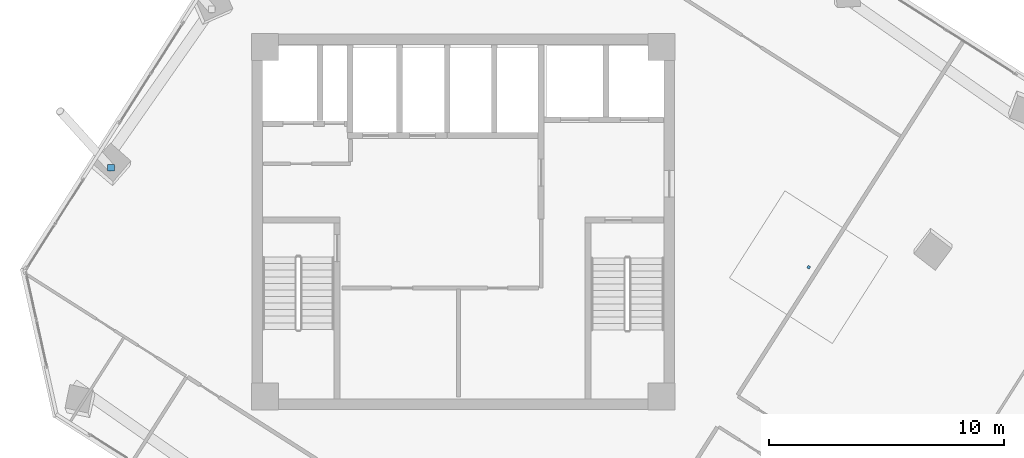
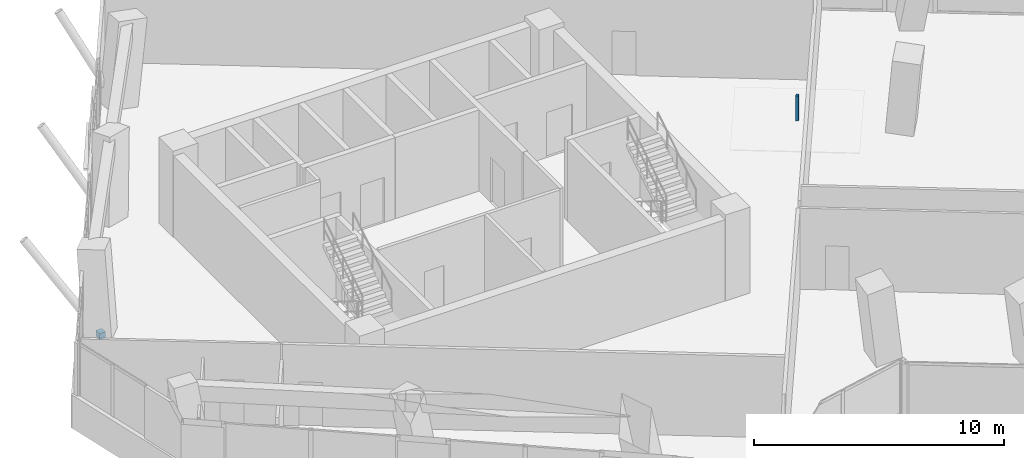
# One storey, part 20 of 24: 2 discrete accessories.
"""IFC4 building model written with IfcOpenShell, lengths in metres."""

from ifc_helpers import new_model, si_unit, direction, frame, origin, origin_2d, place, context, subcontext, project, spatial, rectangle, extrude, source, transform, mapped, material, type_object, element, save


model = new_model("IFC4")

# Units and contexts
model_context = context("Model", 3, precision=1e-05, world=origin(), true_north=direction((0.0, 1.0)))
body_context = subcontext(model_context, "Body", "Model", "MODEL_VIEW")
ifc_project = project(units=[si_unit("LENGTHUNIT", "METRE"), si_unit("AREAUNIT", "SQUARE_METRE"), si_unit("VOLUMEUNIT", "CUBIC_METRE"), si_unit("PLANEANGLEUNIT", "RADIAN"), si_unit("MASSUNIT", "GRAM", prefix="KILO")], contexts=[model_context])

# Site, building, storey
site_placement = place(None, origin())
site = spatial("IfcSite", under=ifc_project, at=site_placement, CompositionType="ELEMENT")
building_placement = place(site_placement, origin())
building = spatial("IfcBuilding", under=site, at=building_placement, Name="Torre Montelarca", CompositionType="ELEMENT")
storey_placement = place(building_placement, frame((0.0, 0.0, 191.800048828125)))
storey = spatial("IfcBuildingStorey", under=building, at=storey_placement, Name="L43", CompositionType="ELEMENT", Elevation=191.800048828125)

# Discrete accessories
ifc_material_1 = material(Name="Stainless steel AISI 316", Category="steel")
discrete_accessory_type_1 = type_object("IfcDiscreteAccessoryType", Name="ACC-BRACKET-SS", PredefinedType="BRACKET", material=ifc_material_1)
shared_shape_1 = source(origin(), body_context, "Body", "SweptSolid", [
    extrude(rectangle(XDim=0.280029296875, YDim=0.280029296875, at=origin_2d()), origin(), (0.0, 0.0, 1.0), 0.280029296875),
])
discrete_accessory_1_placement = place(storey_placement, frame((2.990478515625, 34.306396484375, 0.009765625), z_axis=(0.0, 0.0, 1.0), x_axis=(1.0, 0.0, 0.0)))
element("IfcDiscreteAccessory", 1, at=discrete_accessory_1_placement, inside=storey, type_object=discrete_accessory_type_1, Name="L44 Raker End Connection Bracket W1-FT", PredefinedType="BRACKET", context=body_context, shape_type="MappedRepresentation", body=[
    mapped(shared_shape_1, transform((0.0, 0.0, 0.0), scale=1.0)),
])
ifc_material_2 = material(Name="Galvanized steel suspension hanger", Category="steel")
discrete_accessory_type_2 = type_object("IfcDiscreteAccessoryType", Name="ACC-CEIL-HNG", PredefinedType="BRACKET", material=ifc_material_2)
shared_shape_2 = source(origin(), body_context, "Body", "SweptSolid", [
    extrude(rectangle(XDim=0.1201171875, YDim=0.1201171875, at=origin_2d()), origin(), (0.0, 0.0, 1.0), 1.22998046875),
])
discrete_accessory_2_placement = place(storey_placement, frame((32.7197265625, 30.0693359375, 2.75), z_axis=(0.0, 0.0, 1.0), x_axis=(-0.843391445813, 0.537299608347, 0.0)))
element("IfcDiscreteAccessory", 2, at=discrete_accessory_2_placement, inside=storey, type_object=discrete_accessory_type_2, Name="L43 Suspended Ceiling Hanger Bracket 01", PredefinedType="BRACKET", context=body_context, shape_type="MappedRepresentation", body=[
    mapped(shared_shape_2, transform((0.0, 0.0, 0.0), scale=1.0)),
])

save(model, "model.ifc")
